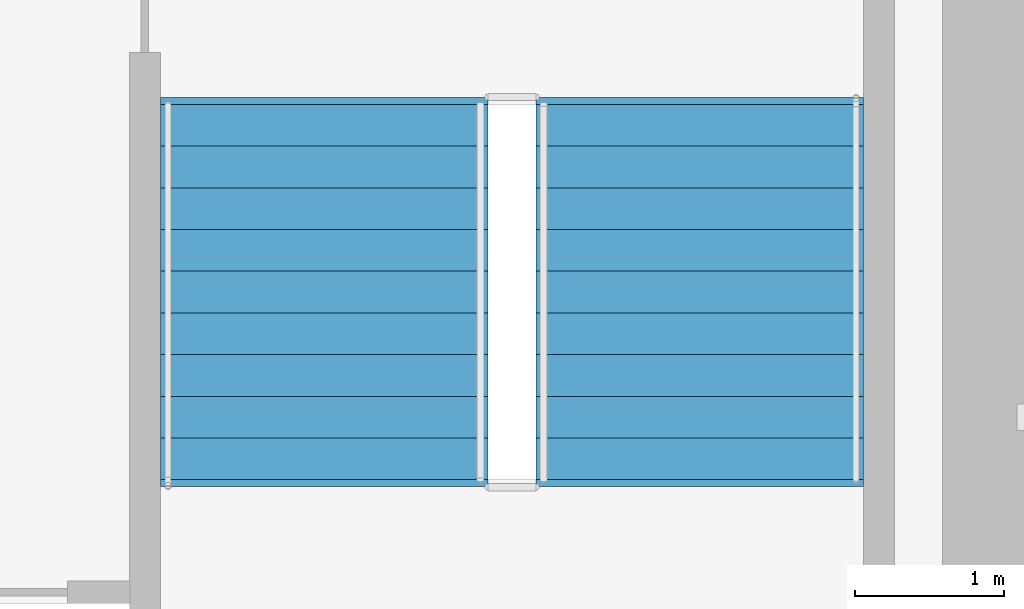
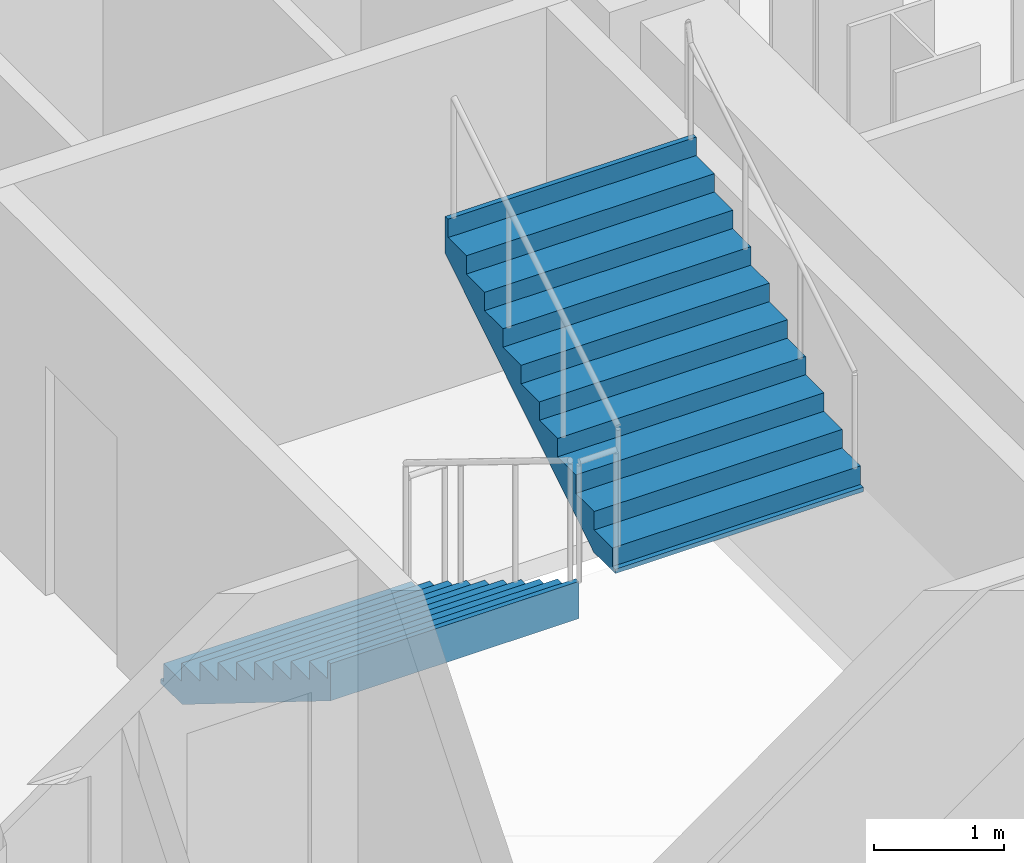
# One storey, part 9 of 11: 2 stair flights, 1 element without a shape of its own.
"""IFC4 building model written with IfcOpenShell, lengths in metres."""

import ifcopenshell
import ifcopenshell.guid

model = None  # the IFC model being written
_history = None  # IfcOwnerHistory: only IFC2X3 demands one
_inside = {}  # id of a spatial element -> (the spatial element, [elements in it])
_under = {}  # id of a project, library or spatial element -> (it, [spatial elements below it])
_declared = {}  # id of a project -> (the project, [libraries it declares])
_typed = {}  # id of a type object -> (the type object, [elements of that type])
_made_of = {}  # id of a material, layer set ... -> (it, [elements and type objects made of it])


def new_model(schema):
    """Start an empty IFC model of exactly this schema.

    Asked for "IFC4X3", IfcOpenShell would pick the latest addendum, in which some entities
    have other attributes; the version numbers below select the first issue.
    IFC2X3 requires an IfcOwnerHistory on every rooted entity: one is made here for all.
    """
    global model, _history
    if schema == "IFC4X3":
        model = ifcopenshell.file(schema_version=(4, 3, 0, 0))
    else:
        model = ifcopenshell.file(schema=schema)
    _inside.clear()
    _under.clear()
    _declared.clear()
    _typed.clear()
    _made_of.clear()
    _history = None
    if model.schema == "IFC2X3":
        org = make("IfcOrganization", Name="unknown")
        user = make(
            "IfcPersonAndOrganization",
            ThePerson=make("IfcPerson", FamilyName="unknown"),
            TheOrganization=org,
        )
        app = make(
            "IfcApplication",
            ApplicationDeveloper=org,
            Version="unknown",
            ApplicationFullName="unknown",
            ApplicationIdentifier="unknown",
        )
        _history = make(
            "IfcOwnerHistory",
            OwningUser=user,
            OwningApplication=app,
            ChangeAction="ADDED",
            CreationDate=0,
        )
    return model


def make(cls, **values):
    """One entity of the class cls with the attributes given. An attribute that is None is left unset."""
    return model.create_entity(
        cls, **{name: value for name, value in values.items() if value is not None}
    )


def rooted(cls, **values):
    """An entity with a GlobalId (a new one), such as an element, a storey or a relation."""
    return make(cls, GlobalId=ifcopenshell.guid.new(), OwnerHistory=_history, **values)


def si_unit(unit_type, name, prefix=None):
    """IfcSIUnit, for example si_unit("LENGTHUNIT", "METRE", prefix="MILLI")."""
    return make("IfcSIUnit", UnitType=unit_type, Prefix=prefix, Name=name)


def assignment(units):
    """IfcUnitAssignment: the units of a project."""
    return None if units is None else make("IfcUnitAssignment", Units=units)


def point(xyz):
    """IfcCartesianPoint."""
    return None if xyz is None else make("IfcCartesianPoint", Coordinates=xyz)


def direction(xyz):
    """IfcDirection."""
    return None if xyz is None else make("IfcDirection", DirectionRatios=xyz)


def frame(location, z_axis=None, x_axis=None):
    """IfcAxis2Placement3D, a coordinate frame: its origin and axes. An axis left out is left unset."""
    return make(
        "IfcAxis2Placement3D",
        Location=point(location),
        Axis=direction(z_axis),
        RefDirection=direction(x_axis),
    )


def origin():
    """The frame at (0, 0, 0) with its axes left unset."""
    return frame((0.0, 0.0, 0.0))


def place(relative_to, where):
    """IfcLocalPlacement: puts the frame where relative to a parent placement (None: the world)."""
    return make(
        "IfcLocalPlacement", PlacementRelTo=relative_to, RelativePlacement=where
    )


def context(
    kind, dimensions, precision=None, world=None, true_north=None, identifier=None
):
    """IfcGeometricRepresentationContext, for example the 3D "Model" context."""
    return make(
        "IfcGeometricRepresentationContext",
        ContextIdentifier=identifier,
        ContextType=kind,
        CoordinateSpaceDimension=dimensions,
        Precision=precision,
        WorldCoordinateSystem=world,
        TrueNorth=true_north,
    )


def subcontext(parent, identifier, kind, view, scale=None):
    """IfcGeometricRepresentationSubContext, for example "Body" below "Model"."""
    return make(
        "IfcGeometricRepresentationSubContext",
        ContextIdentifier=identifier,
        ContextType=kind,
        ParentContext=parent,
        TargetScale=scale,
        TargetView=view,
    )


def project(units=None, contexts=None):
    """IfcProject with its units and contexts."""
    return rooted(
        "IfcProject",
        Name="project",
        RepresentationContexts=contexts,
        UnitsInContext=assignment(units),
    )


def spatial(cls, under=None, at=None, **own):
    """A site, building, storey or space (cls), placed at a placement, below another one or the project."""
    s = rooted(cls, ObjectPlacement=at, **own)
    if under is not None:
        _under.setdefault(under.id(), (under, []))[1].append(s)
    return s


def polyline(points):
    """IfcPolyline through the points."""
    return make("IfcPolyline", Points=[point(p) for p in points])


def outline(outer, holes=None, kind="AREA"):
    """IfcArbitraryClosedProfileDef: a profile drawn as a closed curve; with holes, ...WithVoids."""
    if holes is None:
        return make("IfcArbitraryClosedProfileDef", ProfileType=kind, OuterCurve=outer)
    return make(
        "IfcArbitraryProfileDefWithVoids",
        ProfileType=kind,
        OuterCurve=outer,
        InnerCurves=holes,
    )


def extrude(swept, where, along, depth):
    """IfcExtrudedAreaSolid: the profile swept, set in the frame where, extruded along a direction by depth."""
    return make(
        "IfcExtrudedAreaSolid",
        SweptArea=swept,
        Position=where,
        ExtrudedDirection=direction(along),
        Depth=depth,
    )


def shape(context_of_items, identifier, shape_type, items):
    """IfcShapeRepresentation: the items that make up one representation, for example the "Body"."""
    return make(
        "IfcShapeRepresentation",
        ContextOfItems=context_of_items,
        RepresentationIdentifier=identifier,
        RepresentationType=shape_type,
        Items=items,
    )


def material(Name=None, Category=None):
    """IfcMaterial."""
    return make("IfcMaterial", Name=Name, Category=Category)


def layer(
    of_material, thickness, ventilated=None, Name=None, Category=None, Priority=None
):
    """IfcMaterialLayer: one layer of a wall or slab, of a material (None: an air gap)."""
    return make(
        "IfcMaterialLayer",
        Material=of_material,
        LayerThickness=thickness,
        IsVentilated=ventilated,
        Name=Name,
        Category=Category,
        Priority=Priority,
    )


def layer_set(layers, Name=None):
    """IfcMaterialLayerSet."""
    return make("IfcMaterialLayerSet", MaterialLayers=layers, LayerSetName=Name)


def made_of(thing, what):
    """Note that an element or type object is made of a material, layer set ...; save() writes the relation."""
    if what is not None:
        _made_of.setdefault(what.id(), (what, []))[1].append(thing)
    return thing


def type_object(cls, material=None, **own):
    """A type object (cls), such as IfcWallType, which elements share."""
    return made_of(rooted(cls, **own), material)


def element(
    cls,
    number,
    at=None,
    inside=None,
    cuts=None,
    type_object=None,
    material=None,
    context=None,
    identifier="Body",
    shape_type=None,
    held_by="IfcProductDefinitionShape",
    body=None,
    shapes=None,
    **own,
):
    """One element of the class cls, such as IfcWall. Its Tag is "e" and its number.

    at: its placement. inside: the storey or other place that contains it. cuts: it is an
    opening in that element (IfcRelVoidsElement). A single representation is given by context,
    identifier, shape_type and body (its items); several are given by shapes. held_by: the class
    of the entity that holds the representations. save() writes the other relations.
    """
    e = rooted(cls, Tag="e%d" % number, ObjectPlacement=at, **own)
    if body is not None:
        shapes = [shape(context, identifier, shape_type, body)]
    if shapes is not None:
        e.Representation = make(held_by, Representations=shapes)
    if inside is not None:
        _inside.setdefault(inside.id(), (inside, []))[1].append(e)
    if cuts is not None:
        rooted(
            "IfcRelVoidsElement", RelatingBuildingElement=cuts, RelatedOpeningElement=e
        )
    if type_object is not None:
        _typed.setdefault(type_object.id(), (type_object, []))[1].append(e)
    return made_of(e, material)


def aggregate(whole, parts):
    """IfcRelAggregates: a whole, such as a stair, and the parts it consists of."""
    return rooted("IfcRelAggregates", RelatingObject=whole, RelatedObjects=parts)


def save(model, path):
    """Write the relations noted so far, then the file.

    IfcRelAggregates (storeys below a building ...), IfcRelContainedInSpatialStructure (elements
    in a storey), IfcRelDefinesByType, IfcRelAssociatesMaterial and IfcRelDeclares: one each for
    every whole, place, type object, material and project.
    """
    for whole, parts in _under.values():
        aggregate(whole, parts)
    for where, things in _inside.values():
        rooted(
            "IfcRelContainedInSpatialStructure",
            RelatedElements=things,
            RelatingStructure=where,
        )
    for kind, things in _typed.values():
        rooted("IfcRelDefinesByType", RelatedObjects=things, RelatingType=kind)
    for what, things in _made_of.values():
        rooted("IfcRelAssociatesMaterial", RelatedObjects=things, RelatingMaterial=what)
    for by, libraries in _declared.values():
        rooted("IfcRelDeclares", RelatingContext=by, RelatedDefinitions=libraries)
    model.write(path)


model = new_model("IFC4")

# Units and contexts
model_context = context("Model", 3, precision=1e-05, world=origin(), true_north=direction((0.0, 1.0)))
body_context = subcontext(model_context, "Body", "Model", "MODEL_VIEW")
ifc_project = project(units=[si_unit("LENGTHUNIT", "METRE"), si_unit("AREAUNIT", "SQUARE_METRE"), si_unit("VOLUMEUNIT", "CUBIC_METRE"), si_unit("PLANEANGLEUNIT", "RADIAN"), si_unit("MASSUNIT", "GRAM", prefix="KILO")], contexts=[model_context])

# Site, building, storey
site_placement = place(None, origin())
site = spatial("IfcSite", under=ifc_project, at=site_placement, CompositionType="ELEMENT")
building_placement = place(site_placement, origin())
building = spatial("IfcBuilding", under=site, at=building_placement, Name="Velakula Bourse", CompositionType="ELEMENT")
storey_placement = place(building_placement, frame((0.0, 0.0, 101.800048828125)))
storey = spatial("IfcBuildingStorey", under=building, at=storey_placement, Name="L27", CompositionType="ELEMENT", Elevation=101.800048828125)

# Stair, stair flights
ifc_material = material(Name="Concrete M45 (fck 45 MPa)", Category="concrete")
stair_type = type_object("IfcStairType", Name="STR-DOG-390", PredefinedType="HALF_TURN_STAIR", material=ifc_material)
stair_placement = place(storey_placement, origin())
stair = element("IfcStair", 1, at=stair_placement, inside=storey, type_object=stair_type, Name="L27 East Core Exit Stair ST-E1", PredefinedType="HALF_TURN_STAIR")
ifc_layer = layer(ifc_material, 0.195068359375, Name="Concrete M45 (fck 45 MPa)", Category="concrete")
ifc_layer_set = layer_set([ifc_layer], Name="Concrete M45 (fck 45 MPa)")
stair_flight_type = type_object("IfcStairFlightType", Name="FLT-DOG-390", PredefinedType="STRAIGHT", material=ifc_layer_set)
stair_flight_1_placement = place(storey_placement, frame((14.198974609375, -2.199951171875, 0.0), z_axis=(0.0, 0.0, 1.0), x_axis=(0.0, -1.0, 0.0)))
stair_flight_1 = element("IfcStairFlight", 2, at=stair_flight_1_placement, type_object=stair_flight_type, Name="ST-E1 flight 1", NumberOfRisers=10, NumberOfTreads=9, PredefinedType="STRAIGHT", RiserHeight=0.1725, TreadLength=0.28, context=body_context, shape_type="SweptSolid", body=[
    extrude(outline(polyline([(-0.044921875, -0.0400390625), (-0.044921875, -0.036865234375), (-0.044921875, -0.033935546875), (-0.044921875, -0.03076171875), (-0.044921875, -0.027587890625), (-0.044921875, -0.024658203125), (-0.044921875, -0.021484375), (-0.044921875, -0.0185546875), (-0.044921875, -0.015380859375), (-0.044921875, -0.01220703125), (-0.044921875, -0.00927734375), (-0.044921875, -0.006103515625), (-0.044921875, -0.003173828125), (-0.044921875, 0.0), (0.0, 0.0), (0.0, 0.172607421875), (0.280029296875, 0.172607421875), (0.280029296875, 0.344970703125), (0.56005859375, 0.344970703125), (0.56005859375, 0.517578125), (0.840087890625, 0.517578125), (0.840087890625, 0.68994140625), (1.1201171875, 0.68994140625), (1.1201171875, 0.862548828125), (1.39990234375, 0.862548828125), (1.39990234375, 1.034912109375), (1.679931640625, 1.034912109375), (1.679931640625, 1.20751953125), (1.9599609375, 1.20751953125), (1.9599609375, 1.3798828125), (2.239990234375, 1.3798828125), (2.239990234375, 1.552490234375), (2.52001953125, 1.552490234375), (2.52001953125, 1.72509765625), (2.56494140625, 1.72509765625), (2.56494140625, 1.7001953125), (2.56494140625, 1.67529296875), (2.56494140625, 1.650390625), (2.56494140625, 1.62548828125), (2.56494140625, 1.6005859375), (2.56494140625, 1.57568359375), (2.56494140625, 1.55078125), (2.56494140625, 1.52587890625), (2.56494140625, 1.5009765625), (2.56494140625, 1.47607421875), (2.56494140625, 1.451171875), (2.56494140625, 1.42626953125), (2.56494140625, 1.4013671875), (2.56494140625, 1.37646484375), (0.285888671875, -0.0400390625), (-0.044921875, -0.0400390625)])), frame((0.0, 1.09912109375, 0.0), z_axis=(0.0, -1.0, 0.0), x_axis=(1.0, 0.0, 0.0)), (0.0, 0.0, 1.0), 2.197998046875),
])
stair_flight_2_placement = place(storey_placement, frame((16.720947265625, -4.719970703125, 1.724853515625), z_axis=(0.0, 0.0, 1.0), x_axis=(0.0, 1.0, 0.0)))
stair_flight_2 = element("IfcStairFlight", 3, at=stair_flight_2_placement, type_object=stair_flight_type, Name="ST-E1 flight 2", NumberOfRisers=10, NumberOfTreads=9, PredefinedType="STRAIGHT", RiserHeight=0.1725, TreadLength=0.28, context=body_context, shape_type="SweptSolid", body=[
    extrude(outline(polyline([(-0.044921875, -0.0400390625), (-0.044921875, -0.036865234375), (-0.044921875, -0.033935546875), (-0.044921875, -0.03076171875), (-0.044921875, -0.027587890625), (-0.044921875, -0.024658203125), (-0.044921875, -0.021484375), (-0.044921875, -0.0185546875), (-0.044921875, -0.015380859375), (-0.044921875, -0.01220703125), (-0.044921875, -0.00927734375), (-0.044921875, -0.006103515625), (-0.044921875, -0.003173828125), (-0.044921875, 0.0), (0.0, 0.0), (0.0, 0.172607421875), (0.280029296875, 0.172607421875), (0.280029296875, 0.344970703125), (0.56005859375, 0.344970703125), (0.56005859375, 0.517578125), (0.840087890625, 0.517578125), (0.840087890625, 0.68994140625), (1.1201171875, 0.68994140625), (1.1201171875, 0.862548828125), (1.39990234375, 0.862548828125), (1.39990234375, 1.034912109375), (1.679931640625, 1.034912109375), (1.679931640625, 1.20751953125), (1.9599609375, 1.20751953125), (1.9599609375, 1.3798828125), (2.239990234375, 1.3798828125), (2.239990234375, 1.552490234375), (2.52001953125, 1.552490234375), (2.52001953125, 1.72509765625), (2.56494140625, 1.72509765625), (2.56494140625, 1.7001953125), (2.56494140625, 1.67529296875), (2.56494140625, 1.650390625), (2.56494140625, 1.62548828125), (2.56494140625, 1.6005859375), (2.56494140625, 1.57568359375), (2.56494140625, 1.55078125), (2.56494140625, 1.52587890625), (2.56494140625, 1.5009765625), (2.56494140625, 1.47607421875), (2.56494140625, 1.451171875), (2.56494140625, 1.42626953125), (2.56494140625, 1.4013671875), (2.56494140625, 1.37646484375), (0.285888671875, -0.0400390625), (-0.044921875, -0.0400390625)])), frame((0.0, 1.09912109375, 0.0), z_axis=(0.0, -1.0, 0.0), x_axis=(1.0, 0.0, 0.0)), (0.0, 0.0, 1.0), 2.197998046875),
])
aggregate(stair, [stair_flight_1, stair_flight_2])

save(model, "model.ifc")
